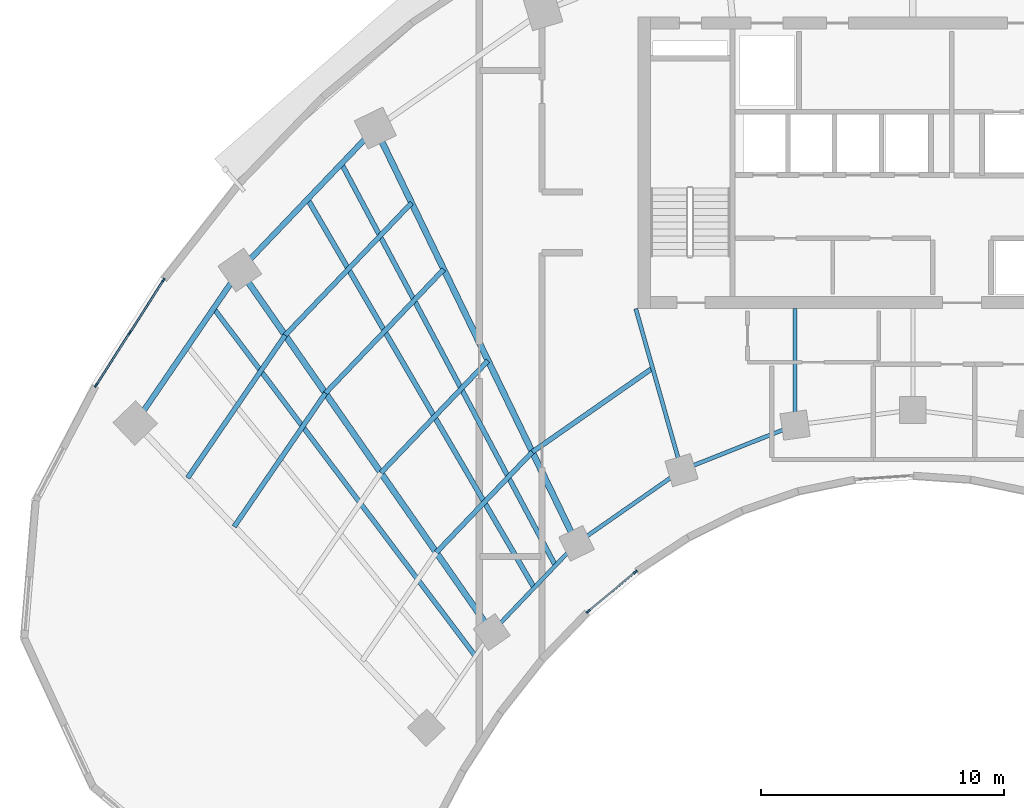
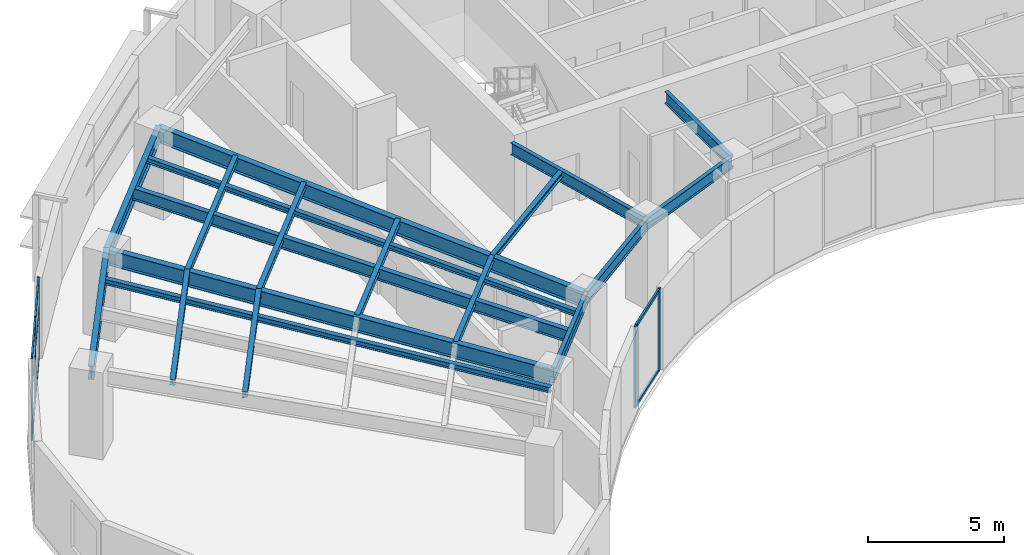
# One storey, part 2 of 14: 19 beams, 13 members, 2 elements without a shape of their own.
"""IFC4 building model written with IfcOpenShell, lengths in metres."""

from ifc_helpers import new_model, si_unit, direction, frame, origin, origin_2d, place, context, subcontext, project, spatial, rectangle, i_section, extrude, source, transform, mapped, material, layer, layer_set, material_profile, profile_set, type_object, type_shapes, element, aggregate, save


model = new_model("IFC4")

# Units and contexts
model_context = context("Model", 3, precision=1e-05, world=origin(), true_north=direction((0.0, 1.0)))
body_context = subcontext(model_context, "Body", "Model", "MODEL_VIEW")
ifc_project = project(units=[si_unit("LENGTHUNIT", "METRE"), si_unit("AREAUNIT", "SQUARE_METRE"), si_unit("VOLUMEUNIT", "CUBIC_METRE"), si_unit("PLANEANGLEUNIT", "RADIAN"), si_unit("MASSUNIT", "GRAM", prefix="KILO")], contexts=[model_context])

# Site, building, storey
site_placement = place(None, origin())
site = spatial("IfcSite", under=ifc_project, at=site_placement, CompositionType="ELEMENT")
building_placement = place(site_placement, origin())
building = spatial("IfcBuilding", under=site, at=building_placement, Name="Breltana Convention Tower", CompositionType="ELEMENT")
storey_placement = place(building_placement, frame((0.0, 0.0, 123.300048828125)))
storey = spatial("IfcBuildingStorey", under=building, at=storey_placement, Name="L29", CompositionType="ELEMENT", Elevation=123.300048828125)

# Beams
ifc_material_1 = material(Name="Steel ASTM A992 Grade 50", Category="steel")
ifc_material_profile_1 = material_profile(ifc_material_1, i_section(OverallWidth=0.25390625, OverallDepth=0.68798828125, WebThickness=0.01318359375, FlangeThickness=0.02099609375, at=origin_2d()), Name="W27X102")
ifc_profile_set_1 = profile_set([ifc_material_profile_1], Name="Steel ASTM A992 Grade 50")
beam_type_1 = type_object("IfcBeamType", Name="BM-RG-W27X102", PredefinedType="USERDEFINED", material=ifc_profile_set_1)
shared_shape_1 = source(origin(), body_context, "Body", "SweptSolid", [
    extrude(i_section(OverallWidth=0.25390625, OverallDepth=0.68798828125, WebThickness=0.01318359375, FlangeThickness=0.02099609375, at=origin_2d()), origin(), (0.0, 0.0, 1.0), 18.1484375),
])
beam_1_placement = place(storey_placement, frame((30.67724609375, 46.892333984375, 3.305908203125), z_axis=(-0.571207556098, 0.820805657788, 0.0), x_axis=(-0.820805657788, -0.571207556098, 0.0)))
element("IfcBeam", 1, at=beam_1_placement, inside=storey, type_object=beam_type_1, Name="L29 Radial Floor Girder R02", ObjectType="GIRDER", PredefinedType="USERDEFINED", context=body_context, shape_type="MappedRepresentation", body=[
    mapped(shared_shape_1, transform((0.0, 0.0, 0.0), scale=1.0)),
])
shared_shape_2 = source(origin(), body_context, "Body", "SweptSolid", [
    extrude(i_section(OverallWidth=0.25390625, OverallDepth=0.68798828125, WebThickness=0.01318359375, FlangeThickness=0.02099609375, at=origin_2d()), origin(), (0.0, 0.0, 1.0), 18.982421875),
])
beam_2_placement = place(storey_placement, frame((34.166259765625, 50.544921875, 3.305908203125), z_axis=(-0.436118560343, 0.89988921614, 0.0), x_axis=(-0.89988921614, -0.436118560343, 0.0)))
element("IfcBeam", 2, at=beam_2_placement, inside=storey, type_object=beam_type_1, Name="L29 Radial Floor Girder R03", ObjectType="GIRDER", PredefinedType="USERDEFINED", context=body_context, shape_type="MappedRepresentation", body=[
    mapped(shared_shape_2, transform((0.0, 0.0, 0.0), scale=1.0)),
])
ifc_material_profile_2 = material_profile(ifc_material_1, i_section(OverallWidth=0.166015625, OverallDepth=0.534912109375, WebThickness=0.01025390625, FlangeThickness=0.0166015625, at=origin_2d()), Name="W21X57")
ifc_profile_set_2 = profile_set([ifc_material_profile_2], Name="Steel ASTM A992 Grade 50")
beam_type_2 = type_object("IfcBeamType", Name="BM-BM-W21X57", PredefinedType="BEAM", material=ifc_profile_set_2)
shared_shape_3 = source(origin(), body_context, "Body", "SweptSolid", [
    extrude(i_section(OverallWidth=0.166015625, OverallDepth=0.534912109375, WebThickness=0.01025390625, FlangeThickness=0.0166015625, at=origin_2d()), origin(), (0.0, 0.0, 1.0), 6.904541015625),
])
type_shapes(beam_type_2, [shared_shape_3])
beam_3_placement = place(storey_placement, frame((36.60009765625, 60.199951171875, 3.382568359375), z_axis=(0.273006781054, -0.962012108811, 0.0), x_axis=(0.962012108811, 0.273006781054, 0.0)))
element("IfcBeam", 3, at=beam_3_placement, inside=storey, type_object=beam_type_2, Name="L29 South Core Tie Girder R04", PredefinedType="BEAM", context=body_context, shape_type="MappedRepresentation", body=[
    mapped(shared_shape_3, transform((0.0, 0.0, 0.0), scale=1.0)),
])
shared_shape_4 = source(origin(), body_context, "Body", "SweptSolid", [
    extrude(i_section(OverallWidth=0.166015625, OverallDepth=0.534912109375, WebThickness=0.01025390625, FlangeThickness=0.0166015625, at=origin_2d()), origin(), (0.0, 0.0, 1.0), 4.789306640625),
])
beam_4_placement = place(storey_placement, frame((43.153564453125, 60.199951171875, 3.382568359375), z_axis=(0.0, -1.0, 0.0), x_axis=(1.0, 0.0, 0.0)))
element("IfcBeam", 4, at=beam_4_placement, inside=storey, type_object=beam_type_2, Name="L29 South Core Tie Girder R05", PredefinedType="BEAM", context=body_context, shape_type="MappedRepresentation", body=[
    mapped(shared_shape_4, transform((0.0, 0.0, 0.0), scale=1.0)),
])
ifc_material_profile_3 = material_profile(ifc_material_1, i_section(OverallWidth=0.22802734375, OverallDepth=0.60791015625, WebThickness=0.01123046875, FlangeThickness=0.017333984375, at=origin_2d()), Name="W24X76")
ifc_profile_set_3 = profile_set([ifc_material_profile_3], Name="Steel ASTM A992 Grade 50")
beam_type_3 = type_object("IfcBeamType", Name="BM-SP-W24X76", PredefinedType="SPANDREL", material=ifc_profile_set_3)
shared_shape_5 = source(origin(), body_context, "Body", "SweptSolid", [
    extrude(i_section(OverallWidth=0.22802734375, OverallDepth=0.60791015625, WebThickness=0.01123046875, FlangeThickness=0.017333984375, at=origin_2d()), origin(), (0.0, 0.0, 1.0), 7.625),
])
type_shapes(beam_type_3, [shared_shape_5])
beam_5_placement = place(storey_placement, frame((16.0068359375, 55.494384765625, 3.345947265625), z_axis=(0.564452031902, 0.825465870694, 0.0), x_axis=(-0.825465870694, 0.564452031902, 0.0)))
element("IfcBeam", 5, at=beam_5_placement, inside=storey, type_object=beam_type_3, Name="L29 Outer Spandrel Beam 01", PredefinedType="SPANDREL", context=body_context, shape_type="MappedRepresentation", body=[
    mapped(shared_shape_5, transform((0.0, 0.0, 0.0), scale=1.0)),
])
shared_shape_6 = source(origin(), body_context, "Body", "SweptSolid", [
    extrude(i_section(OverallWidth=0.166015625, OverallDepth=0.534912109375, WebThickness=0.01025390625, FlangeThickness=0.0166015625, at=origin_2d()), origin(), (0.0, 0.0, 1.0), 5.05126953125),
])
beam_6_placement = place(storey_placement, frame((30.67724609375, 46.892333984375, 3.382568359375), z_axis=(0.690729753845, 0.7231129975, 0.0), x_axis=(-0.7231129975, 0.690729753845, 0.0)))
element("IfcBeam", 6, at=beam_6_placement, inside=storey, type_object=beam_type_2, Name="L29 Inner Ring Beam 02", PredefinedType="BEAM", context=body_context, shape_type="MappedRepresentation", body=[
    mapped(shared_shape_6, transform((0.0, 0.0, 0.0), scale=1.0)),
])
shared_shape_7 = source(origin(), body_context, "Body", "SweptSolid", [
    extrude(i_section(OverallWidth=0.22802734375, OverallDepth=0.60791015625, WebThickness=0.01123046875, FlangeThickness=0.017333984375, at=origin_2d()), origin(), (0.0, 0.0, 1.0), 8.073974609375),
])
beam_7_placement = place(storey_placement, frame((20.310791015625, 61.78857421875, 3.345947265625), z_axis=(0.69072885448, 0.723113856588, 0.0), x_axis=(-0.723113856588, 0.69072885448, 0.0)))
element("IfcBeam", 7, at=beam_7_placement, inside=storey, type_object=beam_type_3, Name="L29 Outer Spandrel Beam 02", PredefinedType="SPANDREL", context=body_context, shape_type="MappedRepresentation", body=[
    mapped(shared_shape_7, transform((0.0, 0.0, 0.0), scale=1.0)),
])
shared_shape_8 = source(origin(), body_context, "Body", "SweptSolid", [
    extrude(i_section(OverallWidth=0.166015625, OverallDepth=0.534912109375, WebThickness=0.01025390625, FlangeThickness=0.0166015625, at=origin_2d()), origin(), (0.0, 0.0, 1.0), 5.265869140625),
])
beam_8_placement = place(storey_placement, frame((34.166259765625, 50.544921875, 3.382568359375), z_axis=(0.820167429517, 0.572123577176, 0.0), x_axis=(-0.572123577176, 0.820167429517, 0.0)))
element("IfcBeam", 8, at=beam_8_placement, inside=storey, type_object=beam_type_2, Name="L29 Inner Ring Beam 03", PredefinedType="BEAM", context=body_context, shape_type="MappedRepresentation", body=[
    mapped(shared_shape_8, transform((0.0, 0.0, 0.0), scale=1.0)),
])
shared_shape_9 = source(origin(), body_context, "Body", "SweptSolid", [
    extrude(i_section(OverallWidth=0.166015625, OverallDepth=0.534912109375, WebThickness=0.01025390625, FlangeThickness=0.0166015625, at=origin_2d()), origin(), (0.0, 0.0, 1.0), 5.022705078125),
])
beam_9_placement = place(storey_placement, frame((38.485107421875, 53.5576171875, 3.382568359375), z_axis=(0.929458966248, 0.368925507469, 0.0), x_axis=(-0.368925507469, 0.929458966248, 0.0)))
element("IfcBeam", 9, at=beam_9_placement, inside=storey, type_object=beam_type_2, Name="L29 Inner Ring Beam 04", PredefinedType="BEAM", context=body_context, shape_type="MappedRepresentation", body=[
    mapped(shared_shape_9, transform((0.0, 0.0, 0.0), scale=1.0)),
])
ifc_material_profile_4 = material_profile(ifc_material_1, i_section(OverallWidth=0.201904296875, OverallDepth=0.2470703125, WebThickness=0.00732421875, FlangeThickness=0.010986328125, at=origin_2d()), Name="W10X33")
ifc_profile_set_4 = profile_set([ifc_material_profile_4], Name="Steel ASTM A992 Grade 50")
beam_type_4 = type_object("IfcBeamType", Name="BM-JSG-11", PredefinedType="JOIST", material=ifc_profile_set_4)
shared_shape_10 = source(origin(), body_context, "Body", "SweptSolid", [
    extrude(i_section(OverallWidth=0.201904296875, OverallDepth=0.2470703125, WebThickness=0.00732421875, FlangeThickness=0.010986328125, at=origin_2d()), origin(), (0.0, 0.0, 1.0), 6.654541015625),
])
beam_10_placement = place(storey_placement, frame((20.0791015625, 51.23095703125, 3.5263671875), z_axis=(0.564482668195, 0.82544492082, 0.0), x_axis=(-0.82544492082, 0.564482668195, 0.0)))
element("IfcBeam", 10, at=beam_10_placement, inside=storey, type_object=beam_type_4, Name="L29 Composite Floor Joist 01.3", PredefinedType="JOIST", context=body_context, shape_type="MappedRepresentation", body=[
    mapped(shared_shape_10, transform((0.0, 0.0, 0.0), scale=1.0)),
])
shared_shape_11 = source(origin(), body_context, "Body", "SweptSolid", [
    extrude(i_section(OverallWidth=0.201904296875, OverallDepth=0.2470703125, WebThickness=0.00732421875, FlangeThickness=0.010986328125, at=origin_2d()), origin(), (0.0, 0.0, 1.0), 7.111328125),
])
beam_11_placement = place(storey_placement, frame((18.162841796875, 53.2373046875, 3.5263671875), z_axis=(0.564446356178, 0.825469751715, 0.0), x_axis=(-0.825469751715, 0.564446356178, 0.0)))
element("IfcBeam", 11, at=beam_11_placement, inside=storey, type_object=beam_type_4, Name="L29 Composite Floor Joist 01.4", PredefinedType="JOIST", context=body_context, shape_type="MappedRepresentation", body=[
    mapped(shared_shape_11, transform((0.0, 0.0, 0.0), scale=1.0)),
])
shared_shape_12 = source(origin(), body_context, "Body", "SweptSolid", [
    extrude(i_section(OverallWidth=0.201904296875, OverallDepth=0.2470703125, WebThickness=0.00732421875, FlangeThickness=0.010986328125, at=origin_2d()), origin(), (0.0, 0.0, 1.0), 17.9072265625),
])
beam_12_placement = place(storey_placement, frame((30.00390625, 45.907958984375, 3.5263671875), z_axis=(-0.601382105028, 0.798961553363, 0.0), x_axis=(-0.798961553363, -0.601382105028, 0.0)))
element("IfcBeam", 12, at=beam_12_placement, inside=storey, type_object=beam_type_4, Name="L29 Quarter-Bay Radial Trimmer 01", PredefinedType="JOIST", context=body_context, shape_type="MappedRepresentation", body=[
    mapped(shared_shape_12, transform((0.0, 0.0, 0.0), scale=1.0)),
])
shared_shape_13 = source(origin(), body_context, "Body", "SweptSolid", [
    extrude(i_section(OverallWidth=0.201904296875, OverallDepth=0.2470703125, WebThickness=0.00732421875, FlangeThickness=0.010986328125, at=origin_2d()), origin(), (0.0, 0.0, 1.0), 5.716064453125),
])
beam_13_placement = place(storey_placement, frame((28.396484375, 50.169677734375, 3.5263671875), z_axis=(0.690756060045, 0.723087868458, 0.0), x_axis=(-0.723087868458, 0.690756060045, 0.0)))
element("IfcBeam", 13, at=beam_13_placement, inside=storey, type_object=beam_type_4, Name="L29 Composite Floor Joist 02.1", PredefinedType="JOIST", context=body_context, shape_type="MappedRepresentation", body=[
    mapped(shared_shape_13, transform((0.0, 0.0, 0.0), scale=1.0)),
])
shared_shape_14 = source(origin(), body_context, "Body", "SweptSolid", [
    extrude(i_section(OverallWidth=0.201904296875, OverallDepth=0.2470703125, WebThickness=0.00732421875, FlangeThickness=0.010986328125, at=origin_2d()), origin(), (0.0, 0.0, 1.0), 6.381103515625),
])
beam_14_placement = place(storey_placement, frame((26.115966796875, 53.44677734375, 3.5263671875), z_axis=(0.690737768889, 0.723105341309, 0.0), x_axis=(-0.723105341309, 0.690737768889, 0.0)))
element("IfcBeam", 14, at=beam_14_placement, inside=storey, type_object=beam_type_4, Name="L29 Composite Floor Joist 02.2", PredefinedType="JOIST", context=body_context, shape_type="MappedRepresentation", body=[
    mapped(shared_shape_14, transform((0.0, 0.0, 0.0), scale=1.0)),
])
shared_shape_15 = source(origin(), body_context, "Body", "SweptSolid", [
    extrude(i_section(OverallWidth=0.201904296875, OverallDepth=0.2470703125, WebThickness=0.00732421875, FlangeThickness=0.010986328125, at=origin_2d()), origin(), (0.0, 0.0, 1.0), 7.046142578125),
])
beam_15_placement = place(storey_placement, frame((23.83544921875, 56.723876953125, 3.5263671875), z_axis=(0.690722929904, 0.723119515782, 0.0), x_axis=(-0.723119515782, 0.690722929904, 0.0)))
element("IfcBeam", 15, at=beam_15_placement, inside=storey, type_object=beam_type_4, Name="L29 Composite Floor Joist 02.3", PredefinedType="JOIST", context=body_context, shape_type="MappedRepresentation", body=[
    mapped(shared_shape_15, transform((0.0, 0.0, 0.0), scale=1.0)),
])
shared_shape_16 = source(origin(), body_context, "Body", "SweptSolid", [
    extrude(i_section(OverallWidth=0.201904296875, OverallDepth=0.2470703125, WebThickness=0.00732421875, FlangeThickness=0.010986328125, at=origin_2d()), origin(), (0.0, 0.0, 1.0), 7.529541015625),
])
beam_16_placement = place(storey_placement, frame((22.1767578125, 59.107421875, 3.5263671875), z_axis=(0.690725562031, 0.723117001568, 0.0), x_axis=(-0.723117001568, 0.690725562031, 0.0)))
element("IfcBeam", 16, at=beam_16_placement, inside=storey, type_object=beam_type_4, Name="L29 Composite Floor Joist 02.4", PredefinedType="JOIST", context=body_context, shape_type="MappedRepresentation", body=[
    mapped(shared_shape_16, transform((0.0, 0.0, 0.0), scale=1.0)),
])
ifc_material_profile_5 = material_profile(ifc_material_1, i_section(OverallWidth=0.2099609375, OverallDepth=0.537109375, WebThickness=0.010986328125, FlangeThickness=0.017333984375, at=origin_2d()), Name="W21X68")
ifc_profile_set_5 = profile_set([ifc_material_profile_5], Name="Steel ASTM A992 Grade 50")
beam_type_5 = type_object("IfcBeamType", Name="BM-JSG-04", PredefinedType="JOIST", material=ifc_profile_set_5)
shared_shape_17 = source(origin(), body_context, "Body", "SweptSolid", [
    extrude(i_section(OverallWidth=0.2099609375, OverallDepth=0.537109375, WebThickness=0.010986328125, FlangeThickness=0.017333984375, at=origin_2d()), origin(), (0.0, 0.0, 1.0), 18.50830078125),
])
beam_17_placement = place(storey_placement, frame((32.421630859375, 48.71875, 3.38134765625), z_axis=(-0.50368319637, 0.863888440537, 0.0), x_axis=(-0.863888440537, -0.50368319637, 0.0)))
element("IfcBeam", 17, at=beam_17_placement, inside=storey, type_object=beam_type_5, Name="L29 Mid-Bay Radial Trimmer 02", PredefinedType="JOIST", context=body_context, shape_type="MappedRepresentation", body=[
    mapped(shared_shape_17, transform((0.0, 0.0, 0.0), scale=1.0)),
])
shared_shape_18 = source(origin(), body_context, "Body", "SweptSolid", [
    extrude(i_section(OverallWidth=0.201904296875, OverallDepth=0.2470703125, WebThickness=0.00732421875, FlangeThickness=0.010986328125, at=origin_2d()), origin(), (0.0, 0.0, 1.0), 18.731689453125),
])
beam_18_placement = place(storey_placement, frame((33.2939453125, 49.6318359375, 3.5263671875), z_axis=(-0.469820250451, 0.882762104004, 0.0), x_axis=(-0.882762104004, -0.469820250451, 0.0)))
element("IfcBeam", 18, at=beam_18_placement, inside=storey, type_object=beam_type_4, Name="L29 Quarter-Bay Radial Trimmer 02", PredefinedType="JOIST", context=body_context, shape_type="MappedRepresentation", body=[
    mapped(shared_shape_18, transform((0.0, 0.0, 0.0), scale=1.0)),
])
shared_shape_19 = source(origin(), body_context, "Body", "SweptSolid", [
    extrude(i_section(OverallWidth=0.201904296875, OverallDepth=0.2470703125, WebThickness=0.00732421875, FlangeThickness=0.010986328125, at=origin_2d()), origin(), (0.0, 0.0, 1.0), 5.959228515625),
])
beam_19_placement = place(storey_placement, frame((32.344970703125, 54.302978515625, 3.5263671875), z_axis=(0.820160485262, 0.572133531979, 0.0), x_axis=(-0.572133531979, 0.820160485262, 0.0)))
element("IfcBeam", 19, at=beam_19_placement, inside=storey, type_object=beam_type_4, Name="L29 Composite Floor Joist 03.1", PredefinedType="JOIST", context=body_context, shape_type="MappedRepresentation", body=[
    mapped(shared_shape_19, transform((0.0, 0.0, 0.0), scale=1.0)),
])

# Curtain wall, members
ifc_material_2 = material(Name="Aluminium Anodised Bronze Frame", Category="aluminium")
ifc_layer_1 = layer(ifc_material_2, 0.18994140625, Name="Aluminium Anodised Bronze Frame")
ifc_layer_set_1 = layer_set([ifc_layer_1], Name="Aluminium Anodised Bronze Frame")
curtain_wall_type_1 = type_object("IfcCurtainWallType", Name="CW-SYS-1", PredefinedType="NOTDEFINED", material=ifc_layer_set_1)
curtain_wall_1_placement = place(storey_placement, origin())
curtain_wall_1 = element("IfcCurtainWall", 20, at=curtain_wall_1_placement, inside=storey, type_object=curtain_wall_type_1, Name="L29 inner south-court glazing 5", PredefinedType="NOTDEFINED")
ifc_material_3 = material(Name="Aluminium Anodised Bronze", Category="aluminium")
ifc_material_profile_6 = material_profile(ifc_material_3, rectangle(XDim=0.080078125, YDim=0.199951171875, at=origin_2d()), Name="CWM-80X200")
ifc_profile_set_6 = profile_set([ifc_material_profile_6], Name="Aluminium Anodised Bronze")
member_type_1 = type_object("IfcMemberType", Name="CWM-200", PredefinedType="MULLION", material=ifc_profile_set_6)
shared_shape_20 = source(origin(), body_context, "Body", "SweptSolid", [
    extrude(rectangle(XDim=0.080078125, YDim=0.199951171875, at=origin_2d()), origin(), (0.0, 0.0, 1.0), 3.64990234375),
])
member_1_placement = place(storey_placement, frame((36.582275390625, 49.361328125, 0.0), z_axis=(0.0, 0.0, 1.0), x_axis=(0.640520924036, -0.76794071768, 0.0)))
member_1 = element("IfcMember", 21, at=member_1_placement, type_object=member_type_1, Name="CW-01 mullion 1", PredefinedType="MULLION", context=body_context, shape_type="MappedRepresentation", body=[
    mapped(shared_shape_20, transform((0.0, 0.0, 0.0), scale=1.0)),
])
member_2_placement = place(storey_placement, frame((34.646240234375, 47.746826171875, 0.0), z_axis=(0.0, 0.0, 1.0), x_axis=(0.640520924036, -0.76794071768, 0.0)))
member_2 = element("IfcMember", 22, at=member_2_placement, type_object=member_type_1, Name="CW-01 mullion 2", PredefinedType="MULLION", context=body_context, shape_type="MappedRepresentation", body=[
    mapped(shared_shape_20, transform((0.0, 0.0, 0.0), scale=1.0)),
])
ifc_material_profile_7 = material_profile(ifc_material_3, rectangle(XDim=0.080078125, YDim=0.139892578125, at=origin_2d()), Name="CWT-80X140")
ifc_profile_set_7 = profile_set([ifc_material_profile_7], Name="Aluminium Anodised Bronze")
member_type_2 = type_object("IfcMemberType", Name="CWT-140", PredefinedType="USERDEFINED", material=ifc_profile_set_7)
shared_shape_21 = source(origin(), body_context, "Body", "SweptSolid", [
    extrude(rectangle(XDim=0.080078125, YDim=0.139892578125, at=origin_2d()), origin(), (0.0, 0.0, 1.0), 2.44091796875),
])
member_3_placement = place(storey_placement, frame((36.551513671875, 49.335693359375, 0.0400390625), z_axis=(-0.767991664717, -0.64045983709, 0.0), x_axis=(0.64045983709, -0.767991664717, 0.0)))
member_3 = element("IfcMember", 23, at=member_3_placement, type_object=member_type_2, Name="CW-01 transom 1.1", ObjectType="TRANSOM", PredefinedType="USERDEFINED", context=body_context, shape_type="MappedRepresentation", body=[
    mapped(shared_shape_21, transform((0.0, 0.0, 0.0), scale=1.0)),
])
member_4_placement = place(storey_placement, frame((36.551513671875, 49.335693359375, 3.60986328125), z_axis=(-0.767991664717, -0.64045983709, 0.0), x_axis=(0.64045983709, -0.767991664717, 0.0)))
member_4 = element("IfcMember", 24, at=member_4_placement, type_object=member_type_2, Name="CW-01 transom 1.2", ObjectType="TRANSOM", PredefinedType="USERDEFINED", context=body_context, shape_type="MappedRepresentation", body=[
    mapped(shared_shape_21, transform((0.0, 0.0, 0.0), scale=1.0)),
])
aggregate(curtain_wall_1, [member_1, member_2, member_3, member_4])

ifc_layer_2 = layer(ifc_material_2, 0.22998046875, Name="Aluminium Anodised Bronze Frame")
ifc_layer_set_2 = layer_set([ifc_layer_2], Name="Aluminium Anodised Bronze Frame")
curtain_wall_type_2 = type_object("IfcCurtainWallType", Name="CW-SYS-5", PredefinedType="NOTDEFINED", material=ifc_layer_set_2)
curtain_wall_2_placement = place(storey_placement, origin())
curtain_wall_2 = element("IfcCurtainWall", 25, at=curtain_wall_2_placement, inside=storey, type_object=curtain_wall_type_2, Name="L29 outer double-skin inner glazing 1", PredefinedType="NOTDEFINED")
ifc_material_profile_8 = material_profile(ifc_material_3, rectangle(XDim=0.070068359375, YDim=0.175048828125, at=origin_2d()), Name="CWM-70X175")
ifc_profile_set_8 = profile_set([ifc_material_profile_8], Name="Aluminium Anodised Bronze")
member_type_3 = type_object("IfcMemberType", Name="CWM-175", PredefinedType="MULLION", material=ifc_profile_set_8)
shared_shape_22 = source(origin(), body_context, "Body", "SweptSolid", [
    extrude(rectangle(XDim=0.070068359375, YDim=0.175048828125, at=origin_2d()), origin(), (0.0, 0.0, 1.0), 3.64990234375),
])
member_5_placement = place(storey_placement, frame((14.395751953125, 57.049560546875, 0.0), z_axis=(0.0, 0.0, 1.0), x_axis=(-0.84155155167, 0.540176809834, 0.0)))
member_5 = element("IfcMember", 26, at=member_5_placement, type_object=member_type_3, Name="CW-05 mullion 1", PredefinedType="MULLION", context=body_context, shape_type="MappedRepresentation", body=[
    mapped(shared_shape_22, transform((0.0, 0.0, 0.0), scale=1.0)),
])
member_6_placement = place(storey_placement, frame((15.78271484375, 59.210205078125, 0.0), z_axis=(0.0, 0.0, 1.0), x_axis=(-0.84155155167, 0.540176809834, 0.0)))
member_6 = element("IfcMember", 27, at=member_6_placement, type_object=member_type_3, Name="CW-05 mullion 2", PredefinedType="MULLION", context=body_context, shape_type="MappedRepresentation", body=[
    mapped(shared_shape_22, transform((0.0, 0.0, 0.0), scale=1.0)),
])
member_7_placement = place(storey_placement, frame((17.169677734375, 61.370849609375, 0.0), z_axis=(0.0, 0.0, 1.0), x_axis=(-0.84155155167, 0.540176809834, 0.0)))
member_7 = element("IfcMember", 28, at=member_7_placement, type_object=member_type_3, Name="CW-05 mullion 3", PredefinedType="MULLION", context=body_context, shape_type="MappedRepresentation", body=[
    mapped(shared_shape_22, transform((0.0, 0.0, 0.0), scale=1.0)),
])
ifc_material_profile_9 = material_profile(ifc_material_3, rectangle(XDim=0.070068359375, YDim=0.1201171875, at=origin_2d()), Name="CWT-70X120")
ifc_profile_set_9 = profile_set([ifc_material_profile_9], Name="Aluminium Anodised Bronze")
member_type_4 = type_object("IfcMemberType", Name="CWT-120", PredefinedType="USERDEFINED", material=ifc_profile_set_9)
shared_shape_23 = source(origin(), body_context, "Body", "SweptSolid", [
    extrude(rectangle(XDim=0.070068359375, YDim=0.1201171875, at=origin_2d()), origin(), (0.0, 0.0, 1.0), 2.49755859375),
])
member_8_placement = place(storey_placement, frame((14.41455078125, 57.078857421875, 0.034912109375), z_axis=(0.540179419124, 0.841549876808, 0.0), x_axis=(-0.841549876808, 0.540179419124, 0.0)))
member_8 = element("IfcMember", 29, at=member_8_placement, type_object=member_type_4, Name="CW-05 transom 1.1", ObjectType="TRANSOM", PredefinedType="USERDEFINED", context=body_context, shape_type="MappedRepresentation", body=[
    mapped(shared_shape_23, transform((0.0, 0.0, 0.0), scale=1.0)),
])
member_9_placement = place(storey_placement, frame((14.41455078125, 57.078857421875, 2.37255859375), z_axis=(0.540179419124, 0.841549876808, 0.0), x_axis=(-0.841549876808, 0.540179419124, 0.0)))
member_9 = element("IfcMember", 30, at=member_9_placement, type_object=member_type_4, Name="CW-05 transom 1.2", ObjectType="TRANSOM", PredefinedType="USERDEFINED", context=body_context, shape_type="MappedRepresentation", body=[
    mapped(shared_shape_23, transform((0.0, 0.0, 0.0), scale=1.0)),
])
member_10_placement = place(storey_placement, frame((14.41455078125, 57.078857421875, 3.614990234375), z_axis=(0.540179419124, 0.841549876808, 0.0), x_axis=(-0.841549876808, 0.540179419124, 0.0)))
member_10 = element("IfcMember", 31, at=member_10_placement, type_object=member_type_4, Name="CW-05 transom 1.3", ObjectType="TRANSOM", PredefinedType="USERDEFINED", context=body_context, shape_type="MappedRepresentation", body=[
    mapped(shared_shape_23, transform((0.0, 0.0, 0.0), scale=1.0)),
])
member_11_placement = place(storey_placement, frame((15.801513671875, 59.23974609375, 0.034912109375), z_axis=(0.540179419124, 0.841549876808, 0.0), x_axis=(-0.841549876808, 0.540179419124, 0.0)))
member_11 = element("IfcMember", 32, at=member_11_placement, type_object=member_type_4, Name="CW-05 transom 2.1", ObjectType="TRANSOM", PredefinedType="USERDEFINED", context=body_context, shape_type="MappedRepresentation", body=[
    mapped(shared_shape_23, transform((0.0, 0.0, 0.0), scale=1.0)),
])
member_12_placement = place(storey_placement, frame((15.801513671875, 59.23974609375, 2.37255859375), z_axis=(0.540179419124, 0.841549876808, 0.0), x_axis=(-0.841549876808, 0.540179419124, 0.0)))
member_12 = element("IfcMember", 33, at=member_12_placement, type_object=member_type_4, Name="CW-05 transom 2.2", ObjectType="TRANSOM", PredefinedType="USERDEFINED", context=body_context, shape_type="MappedRepresentation", body=[
    mapped(shared_shape_23, transform((0.0, 0.0, 0.0), scale=1.0)),
])
member_13_placement = place(storey_placement, frame((15.801513671875, 59.23974609375, 3.614990234375), z_axis=(0.540179419124, 0.841549876808, 0.0), x_axis=(-0.841549876808, 0.540179419124, 0.0)))
member_13 = element("IfcMember", 34, at=member_13_placement, type_object=member_type_4, Name="CW-05 transom 2.3", ObjectType="TRANSOM", PredefinedType="USERDEFINED", context=body_context, shape_type="MappedRepresentation", body=[
    mapped(shared_shape_23, transform((0.0, 0.0, 0.0), scale=1.0)),
])
aggregate(curtain_wall_2, [member_5, member_6, member_7, member_8, member_9, member_10, member_11, member_12, member_13])

save(model, "model.ifc")
